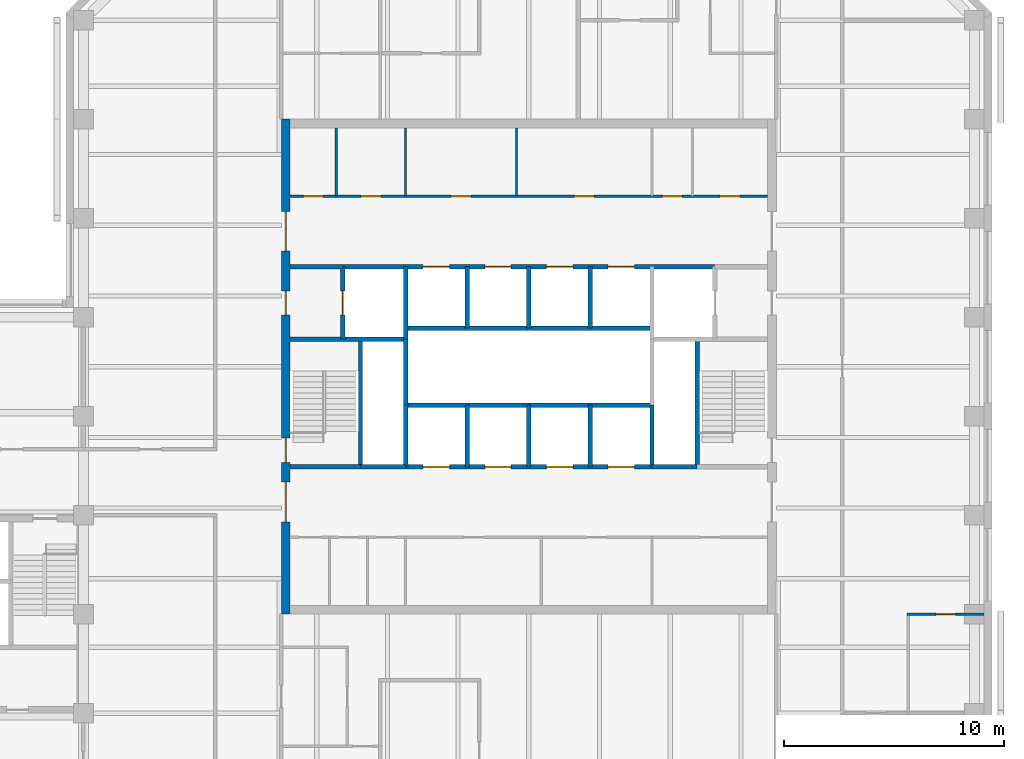
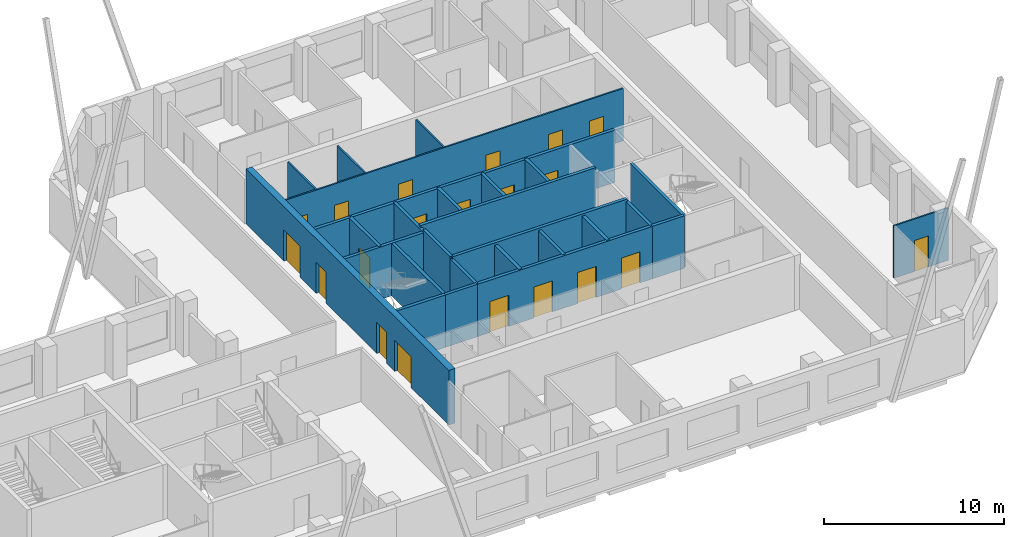
# One storey, part 5 of 9: 28 walls, 20 doors, 20 openings.
"""IFC4 building model written with IfcOpenShell, lengths in metres."""

from ifc_helpers import new_model, si_unit, direction, frame, frame_2d, origin, place, context, subcontext, project, spatial, rectangle, extrude, material, layer, layer_set, type_object, element, fill, save


model = new_model("IFC4")

# Units and contexts
model_context = context("Model", 3, precision=1e-05, world=origin(), true_north=direction((0.0, 1.0)))
body_context = subcontext(model_context, "Body", "Model", "MODEL_VIEW")
ifc_project = project(units=[si_unit("LENGTHUNIT", "METRE"), si_unit("AREAUNIT", "SQUARE_METRE"), si_unit("VOLUMEUNIT", "CUBIC_METRE"), si_unit("PLANEANGLEUNIT", "RADIAN"), si_unit("MASSUNIT", "GRAM", prefix="KILO")], contexts=[model_context])

# Site, building, storey
site_placement = place(None, origin())
site = spatial("IfcSite", under=ifc_project, at=site_placement, CompositionType="ELEMENT")
building_placement = place(site_placement, origin())
building = spatial("IfcBuilding", under=site, at=building_placement, Name="Quoin Convention Tower", CompositionType="ELEMENT")
storey_placement = place(building_placement, frame((0.0, 0.0, 173.60009765625)))
storey = spatial("IfcBuildingStorey", under=building, at=storey_placement, Name="L45", CompositionType="ELEMENT", Elevation=173.60009765625)

# Wall, openings, doors
ifc_material_1 = material(Name="Plasterboard")
ifc_layer_1 = layer(ifc_material_1, 0.012451171875, Name="Finish")
ifc_material_2 = material(Name="Steel stud framing", Category="steel")
ifc_layer_2 = layer(ifc_material_2, 0.074951171875, Name="Structure")
ifc_layer_3 = layer(ifc_material_1, 0.012451171875, Name="Finish")
ifc_layer_set_1 = layer_set([ifc_layer_1, ifc_layer_2, ifc_layer_3], Name="Steel stud framing")
wall_type_1 = type_object("IfcWallType", Name="Core partition wall", PredefinedType="PARTITIONING", material=ifc_layer_set_1)
wall_1_placement = place(storey_placement, frame((45.39990234375, 68.5, 0.0), z_axis=(0.0, 0.0, 1.0), x_axis=(1.0, 0.0, 0.0)))
wall_1 = element("IfcWall", 1, at=wall_1_placement, inside=storey, type_object=wall_type_1, Name="cr-C1-L45-h19000_400", PredefinedType="PARTITIONING", context=body_context, shape_type="SweptSolid", body=[
    extrude(rectangle(XDim=21.7001953125, YDim=0.10009765625, at=frame_2d((10.85009765625, 0.0))), origin(), (0.0, 0.0, 1.0), 3.5498046875),
])
opening_1_placement = place(wall_1_placement, frame((19.543701171875, 0.0, 0.0)))
opening_1 = element("IfcOpeningElement", 2, at=opening_1_placement, cuts=wall_1, Name="Opening DCV3-14", PredefinedType="OPENING", context=body_context, shape_type="SweptSolid", body=[
    extrude(rectangle(XDim=0.89990234375, YDim=2.10009765625, at=frame_2d((0.449951171875, 1.050048828125))), frame((0.0, 0.06005859375, 0.0), z_axis=(0.0, -1.0, 0.0), x_axis=(1.0, 0.0, 0.0)), (0.0, 0.0, 1.0), 0.1201171875),
])
opening_2_placement = place(wall_1_placement, frame((16.918701171875, 0.0, 0.0)))
opening_2 = element("IfcOpeningElement", 3, at=opening_2_placement, cuts=wall_1, Name="Opening DCV3-13", PredefinedType="OPENING", context=body_context, shape_type="SweptSolid", body=[
    extrude(rectangle(XDim=0.89990234375, YDim=2.10009765625, at=frame_2d((0.449951171875, 1.050048828125))), frame((0.0, 0.06005859375, 0.0), z_axis=(0.0, -1.0, 0.0), x_axis=(1.0, 0.0, 0.0)), (0.0, 0.0, 1.0), 0.1201171875),
])
opening_3_placement = place(wall_1_placement, frame((0.60009765625, 0.0, 0.0)))
opening_3 = element("IfcOpeningElement", 4, at=opening_3_placement, cuts=wall_1, Name="Opening DCV3-05", PredefinedType="OPENING", context=body_context, shape_type="SweptSolid", body=[
    extrude(rectangle(XDim=0.89990234375, YDim=2.10009765625, at=frame_2d((0.449951171875, 1.050048828125))), frame((0.0, 0.06005859375, 0.0), z_axis=(0.0, -1.0, 0.0), x_axis=(1.0, 0.0, 0.0)), (0.0, 0.0, 1.0), 0.1201171875),
])
opening_4_placement = place(wall_1_placement, frame((3.22509765625, 0.0, 0.0)))
opening_4 = element("IfcOpeningElement", 5, at=opening_4_placement, cuts=wall_1, Name="Opening DCV3-06", PredefinedType="OPENING", context=body_context, shape_type="SweptSolid", body=[
    extrude(rectangle(XDim=0.89990234375, YDim=2.10009765625, at=frame_2d((0.449951171875, 1.050048828125))), frame((0.0, 0.06005859375, 0.0), z_axis=(0.0, -1.0, 0.0), x_axis=(1.0, 0.0, 0.0)), (0.0, 0.0, 1.0), 0.1201171875),
])
opening_5_placement = place(wall_1_placement, frame((12.919921875, 0.0, 0.0)))
opening_5 = element("IfcOpeningElement", 6, at=opening_5_placement, cuts=wall_1, Name="Opening DCV3-11", PredefinedType="OPENING", context=body_context, shape_type="SweptSolid", body=[
    extrude(rectangle(XDim=0.89990234375, YDim=2.10009765625, at=frame_2d((0.449951171875, 1.050048828125))), frame((0.0, 0.06005859375, 0.0), z_axis=(0.0, -1.0, 0.0), x_axis=(1.0, 0.0, 0.0)), (0.0, 0.0, 1.0), 0.1201171875),
])
opening_6_placement = place(wall_1_placement, frame((7.320068359375, 0.0, 0.0)))
opening_6 = element("IfcOpeningElement", 7, at=opening_6_placement, cuts=wall_1, Name="Opening DCV3-08", PredefinedType="OPENING", context=body_context, shape_type="SweptSolid", body=[
    extrude(rectangle(XDim=0.89990234375, YDim=2.10009765625, at=frame_2d((0.449951171875, 1.050048828125))), frame((0.0, 0.06005859375, 0.0), z_axis=(0.0, -1.0, 0.0), x_axis=(1.0, 0.0, 0.0)), (0.0, 0.0, 1.0), 0.1201171875),
])
ifc_material_3 = material(Name="Steel door leaf", Category="steel")
door_type_1 = type_object("IfcDoorType", Name="Core room door 900 x 2100", OperationType="SINGLE_SWING_LEFT", PredefinedType="DOOR", material=ifc_material_3)
door_1_placement = place(opening_1_placement, origin())
door_1 = element("IfcDoor", 8, at=door_1_placement, inside=storey, type_object=door_type_1, Name="cd-C1-L45-CNE0-lobB-CD4507", OperationType="SINGLE_SWING_LEFT", OverallHeight=2.10009765625, OverallWidth=0.89990234375, PredefinedType="DOOR", context=body_context, shape_type="SweptSolid", body=[
    extrude(rectangle(XDim=0.89990234375, YDim=2.10009765625, at=frame_2d((0.449951171875, 1.050048828125))), frame((0.0, 0.02490234375, 0.0), z_axis=(0.0, -1.0, 0.0), x_axis=(1.0, 0.0, 0.0)), (0.0, 0.0, 1.0), 0.050048828125),
])
fill(opening_1, door_1)
door_2_placement = place(opening_2_placement, origin())
door_2 = element("IfcDoor", 9, at=door_2_placement, inside=storey, type_object=door_type_1, Name="cd-C1-L45-CNE1-lobB-CD4508", OperationType="SINGLE_SWING_RIGHT", OverallHeight=2.10009765625, OverallWidth=0.89990234375, PredefinedType="DOOR", context=body_context, shape_type="SweptSolid", body=[
    extrude(rectangle(XDim=0.89990234375, YDim=2.10009765625, at=frame_2d((0.449951171875, 1.050048828125))), frame((0.0, 0.02490234375, 0.0), z_axis=(0.0, -1.0, 0.0), x_axis=(1.0, 0.0, 0.0)), (0.0, 0.0, 1.0), 0.050048828125),
])
fill(opening_2, door_2)
door_3_placement = place(opening_3_placement, origin())
door_3 = element("IfcDoor", 10, at=door_3_placement, inside=storey, type_object=door_type_1, Name="cd-C1-L45-CNW0-lobB-CD4509", OperationType="SINGLE_SWING_RIGHT", OverallHeight=2.10009765625, OverallWidth=0.89990234375, PredefinedType="DOOR", context=body_context, shape_type="SweptSolid", body=[
    extrude(rectangle(XDim=0.89990234375, YDim=2.10009765625, at=frame_2d((0.449951171875, 1.050048828125))), frame((0.0, 0.02490234375, 0.0), z_axis=(0.0, -1.0, 0.0), x_axis=(1.0, 0.0, 0.0)), (0.0, 0.0, 1.0), 0.050048828125),
])
fill(opening_3, door_3)
door_4_placement = place(opening_4_placement, origin())
door_4 = element("IfcDoor", 11, at=door_4_placement, inside=storey, type_object=door_type_1, Name="cd-C1-L45-CNW1-lobB-CD4510", OperationType="SINGLE_SWING_RIGHT", OverallHeight=2.10009765625, OverallWidth=0.89990234375, PredefinedType="DOOR", context=body_context, shape_type="SweptSolid", body=[
    extrude(rectangle(XDim=0.89990234375, YDim=2.10009765625, at=frame_2d((0.449951171875, 1.050048828125))), frame((0.0, 0.02490234375, 0.0), z_axis=(0.0, -1.0, 0.0), x_axis=(1.0, 0.0, 0.0)), (0.0, 0.0, 1.0), 0.050048828125),
])
fill(opening_4, door_4)
door_5_placement = place(opening_5_placement, origin())
door_5 = element("IfcDoor", 12, at=door_5_placement, inside=storey, type_object=door_type_1, Name="cd-C1-L45-F40-lobB-CD4517", OperationType="SINGLE_SWING_RIGHT", OverallHeight=2.10009765625, OverallWidth=0.89990234375, PredefinedType="DOOR", context=body_context, shape_type="SweptSolid", body=[
    extrude(rectangle(XDim=0.89990234375, YDim=2.10009765625, at=frame_2d((0.449951171875, 1.050048828125))), frame((0.0, 0.02490234375, 0.0), z_axis=(0.0, -1.0, 0.0), x_axis=(1.0, 0.0, 0.0)), (0.0, 0.0, 1.0), 0.050048828125),
])
fill(opening_5, door_5)
door_6_placement = place(opening_6_placement, origin())
door_6 = element("IfcDoor", 13, at=door_6_placement, inside=storey, type_object=door_type_1, Name="cd-C1-L45-F41-lobB-CD4518", OperationType="SINGLE_SWING_RIGHT", OverallHeight=2.10009765625, OverallWidth=0.89990234375, PredefinedType="DOOR", context=body_context, shape_type="SweptSolid", body=[
    extrude(rectangle(XDim=0.89990234375, YDim=2.10009765625, at=frame_2d((0.449951171875, 1.050048828125))), frame((0.0, 0.02490234375, 0.0), z_axis=(0.0, -1.0, 0.0), x_axis=(1.0, 0.0, 0.0)), (0.0, 0.0, 1.0), 0.050048828125),
])
fill(opening_6, door_6)

# Walls
for number, where, z_axis, x_axis, name in (
    (14, (47.5, 68.5, 0.0), (0.0, 0.0, 1.0), (0.0, 1.0, 0.0), "cr-C1-L45-v2500_19000"),
    (15, (50.64990234375, 68.5, 0.0), (0.0, 0.0, 1.0), (0.0, 1.0, 0.0), "cr-C1-L45-v5650_19000"),
    (16, (55.68994140625, 68.5, 0.0), (0.0, 0.0, 1.0), (0.0, 1.0, 0.0), "cr-C1-L45-v10690_19000"),
):
    element("IfcWall", number, at=place(storey_placement, frame(where, z_axis=z_axis, x_axis=x_axis)), inside=storey, type_object=wall_type_1, Name=name, PredefinedType="PARTITIONING", context=body_context, shape_type="SweptSolid", body=[
        extrude(rectangle(XDim=3.10009765625, YDim=0.10009765625, at=frame_2d((1.550048828125, 0.0))), origin(), (0.0, 0.0, 1.0), 3.5498046875),
    ])
ifc_material_4 = material(Name="Concrete C50", Category="concrete")
ifc_layer_4 = layer(ifc_material_4, 0.199951171875)
ifc_layer_set_2 = layer_set([ifc_layer_4], Name="Concrete C50")
wall_type_2 = type_object("IfcWallType", Name="Core shaft wall", PredefinedType="SOLIDWALL", material=ifc_layer_set_2)
for number, where, z_axis, x_axis, name in (
    (17, (48.60009765625, 56.199951171875, 0.0), (0.0, 0.0, 1.0), (1.0, 0.0, 0.0), "cr-C1-L45-h6700_3600"),
    (18, (61.85009765625, 56.199951171875, 0.0), (0.0, 0.0, 1.0), (1.0, 0.0, 0.0), "cr-C1-L45-h6700_16850"),
):
    element("IfcWall", number, at=place(storey_placement, frame(where, z_axis=z_axis, x_axis=x_axis)), inside=storey, type_object=wall_type_2, Name=name, PredefinedType="SOLIDWALL", context=body_context, shape_type="SweptSolid", body=[
        extrude(rectangle(XDim=2.0498046875, YDim=0.199951171875, at=frame_2d((1.02490234375, 0.0))), origin(), (0.0, 0.0, 1.0), 3.5498046875),
    ])
wall_2_placement = place(storey_placement, frame((45.39990234375, 56.199951171875, 0.0), z_axis=(0.0, 0.0, 1.0), x_axis=(1.0, 0.0, 0.0)))
element("IfcWall", 19, at=wall_2_placement, inside=storey, type_object=wall_type_2, Name="cr-C1-L45-h6700_400", PredefinedType="SOLIDWALL", context=body_context, shape_type="SweptSolid", body=[
    extrude(rectangle(XDim=3.2001953125, YDim=0.199951171875, at=frame_2d((1.60009765625, 0.0))), origin(), (0.0, 0.0, 1.0), 3.5498046875),
])

# Wall, openings, doors
wall_3_placement = place(storey_placement, frame((50.64990234375, 56.199951171875, 0.0), z_axis=(0.0, 0.0, 1.0), x_axis=(1.0, 0.0, 0.0)))
wall_3 = element("IfcWall", 20, at=wall_3_placement, inside=storey, type_object=wall_type_2, Name="cr-C1-L45-h6700_5650", PredefinedType="SOLIDWALL", context=body_context, shape_type="SweptSolid", body=[
    extrude(rectangle(XDim=11.2001953125, YDim=0.199951171875, at=frame_2d((5.60009765625, 0.0))), origin(), (0.0, 0.0, 1.0), 3.5498046875),
])
opening_7_placement = place(wall_3_placement, frame((0.800048828125, 0.0, 0.0)))
opening_7 = element("IfcOpeningElement", 21, at=opening_7_placement, cuts=wall_3, Name="Opening LDH1", PredefinedType="OPENING", context=body_context, shape_type="SweptSolid", body=[
    extrude(rectangle(XDim=1.199951171875, YDim=2.10009765625, at=frame_2d((0.60009765625, 1.050048828125))), frame((0.0, 0.10986328125, 0.0), z_axis=(0.0, -1.0, 0.0), x_axis=(1.0, 0.0, 0.0)), (0.0, 0.0, 1.0), 0.219970703125),
])
opening_8_placement = place(wall_3_placement, frame((3.60009765625, 0.0, 0.0)))
opening_8 = element("IfcOpeningElement", 22, at=opening_8_placement, cuts=wall_3, Name="Opening LDH2", PredefinedType="OPENING", context=body_context, shape_type="SweptSolid", body=[
    extrude(rectangle(XDim=1.199951171875, YDim=2.10009765625, at=frame_2d((0.60009765625, 1.050048828125))), frame((0.0, 0.10986328125, 0.0), z_axis=(0.0, -1.0, 0.0), x_axis=(1.0, 0.0, 0.0)), (0.0, 0.0, 1.0), 0.219970703125),
])
opening_9_placement = place(wall_3_placement, frame((6.39990234375, 0.0, 0.0)))
opening_9 = element("IfcOpeningElement", 23, at=opening_9_placement, cuts=wall_3, Name="Opening LDH3", PredefinedType="OPENING", context=body_context, shape_type="SweptSolid", body=[
    extrude(rectangle(XDim=1.199951171875, YDim=2.10009765625, at=frame_2d((0.60009765625, 1.050048828125))), frame((0.0, 0.10986328125, 0.0), z_axis=(0.0, -1.0, 0.0), x_axis=(1.0, 0.0, 0.0)), (0.0, 0.0, 1.0), 0.219970703125),
])
opening_10_placement = place(wall_3_placement, frame((9.199951171875, 0.0, 0.0)))
opening_10 = element("IfcOpeningElement", 24, at=opening_10_placement, cuts=wall_3, Name="Opening LDH4", PredefinedType="OPENING", context=body_context, shape_type="SweptSolid", body=[
    extrude(rectangle(XDim=1.199951171875, YDim=2.10009765625, at=frame_2d((0.60009765625, 1.050048828125))), frame((0.0, 0.10986328125, 0.0), z_axis=(0.0, -1.0, 0.0), x_axis=(1.0, 0.0, 0.0)), (0.0, 0.0, 1.0), 0.219970703125),
])
door_type_2 = type_object("IfcDoorType", Name="Lift landing door 1200 x 2100", OperationType="DOUBLE_DOOR_SLIDING", PredefinedType="DOOR", material=ifc_material_3)
door_7_placement = place(opening_7_placement, origin())
door_7 = element("IfcDoor", 25, at=door_7_placement, inside=storey, type_object=door_type_2, Name="cd-C1-L45-R20-lobA-LDH1", OperationType="DOUBLE_DOOR_SLIDING", OverallHeight=2.10009765625, OverallWidth=1.199951171875, PredefinedType="DOOR", context=body_context, shape_type="SweptSolid", body=[
    extrude(rectangle(XDim=1.199951171875, YDim=2.10009765625, at=frame_2d((0.60009765625, 1.050048828125))), frame((0.0, 0.02490234375, 0.0), z_axis=(0.0, -1.0, 0.0), x_axis=(1.0, 0.0, 0.0)), (0.0, 0.0, 1.0), 0.050048828125),
])
fill(opening_7, door_7)
door_8_placement = place(opening_8_placement, origin())
door_8 = element("IfcDoor", 26, at=door_8_placement, inside=storey, type_object=door_type_2, Name="cd-C1-L45-R21-lobA-LDH2", OperationType="DOUBLE_DOOR_SLIDING", OverallHeight=2.10009765625, OverallWidth=1.199951171875, PredefinedType="DOOR", context=body_context, shape_type="SweptSolid", body=[
    extrude(rectangle(XDim=1.199951171875, YDim=2.10009765625, at=frame_2d((0.60009765625, 1.050048828125))), frame((0.0, 0.02490234375, 0.0), z_axis=(0.0, -1.0, 0.0), x_axis=(1.0, 0.0, 0.0)), (0.0, 0.0, 1.0), 0.050048828125),
])
fill(opening_8, door_8)
door_9_placement = place(opening_9_placement, origin())
door_9 = element("IfcDoor", 27, at=door_9_placement, inside=storey, type_object=door_type_2, Name="cd-C1-L45-R22-lobA-LDH3", OperationType="DOUBLE_DOOR_SLIDING", OverallHeight=2.10009765625, OverallWidth=1.199951171875, PredefinedType="DOOR", context=body_context, shape_type="SweptSolid", body=[
    extrude(rectangle(XDim=1.199951171875, YDim=2.10009765625, at=frame_2d((0.60009765625, 1.050048828125))), frame((0.0, 0.02490234375, 0.0), z_axis=(0.0, -1.0, 0.0), x_axis=(1.0, 0.0, 0.0)), (0.0, 0.0, 1.0), 0.050048828125),
])
fill(opening_9, door_9)
door_10_placement = place(opening_10_placement, origin())
door_10 = element("IfcDoor", 28, at=door_10_placement, inside=storey, type_object=door_type_2, Name="cd-C1-L45-R23-lobA-LDH4", OperationType="DOUBLE_DOOR_SLIDING", OverallHeight=2.10009765625, OverallWidth=1.199951171875, PredefinedType="DOOR", context=body_context, shape_type="SweptSolid", body=[
    extrude(rectangle(XDim=1.199951171875, YDim=2.10009765625, at=frame_2d((0.60009765625, 1.050048828125))), frame((0.0, 0.02490234375, 0.0), z_axis=(0.0, -1.0, 0.0), x_axis=(1.0, 0.0, 0.0)), (0.0, 0.0, 1.0), 0.050048828125),
])
fill(opening_10, door_10)

# Walls
wall_4_placement = place(storey_placement, frame((45.39990234375, 62.0, 0.0), z_axis=(0.0, 0.0, 1.0), x_axis=(1.0, 0.0, 0.0)))
element("IfcWall", 29, at=wall_4_placement, inside=storey, type_object=wall_type_2, Name="cr-C1-L45-h12500_400", PredefinedType="SOLIDWALL", context=body_context, shape_type="SweptSolid", body=[
    extrude(rectangle(XDim=5.25, YDim=0.199951171875, at=frame_2d((2.625, 0.0))), origin(), (0.0, 0.0, 1.0), 3.5498046875),
])
wall_5_placement = place(storey_placement, frame((45.39990234375, 65.300048828125, 0.0), z_axis=(0.0, 0.0, 1.0), x_axis=(1.0, 0.0, 0.0)))
element("IfcWall", 30, at=wall_5_placement, inside=storey, type_object=wall_type_2, Name="cr-C1-L45-h15800_400", PredefinedType="SOLIDWALL", context=body_context, shape_type="SweptSolid", body=[
    extrude(rectangle(XDim=2.400146484375, YDim=0.199951171875, at=frame_2d((1.2001953125, 0.0))), origin(), (0.0, 0.0, 1.0), 3.5498046875),
])

# Wall, openings, doors
wall_6_placement = place(storey_placement, frame((47.800048828125, 65.300048828125, 0.0), z_axis=(0.0, 0.0, 1.0), x_axis=(1.0, 0.0, 0.0)))
wall_6 = element("IfcWall", 31, at=wall_6_placement, inside=storey, type_object=wall_type_2, Name="cr-C1-L45-h15800_2800", PredefinedType="SOLIDWALL", context=body_context, shape_type="SweptSolid", body=[
    extrude(rectangle(XDim=16.89990234375, YDim=0.199951171875, at=frame_2d((8.449951171875, 0.0))), origin(), (0.0, 0.0, 1.0), 3.5498046875),
])
opening_11_placement = place(wall_6_placement, frame((3.64990234375, 0.0, 0.0)))
opening_11 = element("IfcOpeningElement", 32, at=opening_11_placement, cuts=wall_6, Name="Opening LDH5", PredefinedType="OPENING", context=body_context, shape_type="SweptSolid", body=[
    extrude(rectangle(XDim=1.199951171875, YDim=2.10009765625, at=frame_2d((0.60009765625, 1.050048828125))), frame((0.0, 0.10986328125, 0.0), z_axis=(0.0, -1.0, 0.0), x_axis=(1.0, 0.0, 0.0)), (0.0, 0.0, 1.0), 0.219970703125),
])
opening_12_placement = place(wall_6_placement, frame((6.449951171875, 0.0, 0.0)))
opening_12 = element("IfcOpeningElement", 33, at=opening_12_placement, cuts=wall_6, Name="Opening LDH6", PredefinedType="OPENING", context=body_context, shape_type="SweptSolid", body=[
    extrude(rectangle(XDim=1.199951171875, YDim=2.10009765625, at=frame_2d((0.60009765625, 1.050048828125))), frame((0.0, 0.10986328125, 0.0), z_axis=(0.0, -1.0, 0.0), x_axis=(1.0, 0.0, 0.0)), (0.0, 0.0, 1.0), 0.219970703125),
])
opening_13_placement = place(wall_6_placement, frame((9.25, 0.0, 0.0)))
opening_13 = element("IfcOpeningElement", 34, at=opening_13_placement, cuts=wall_6, Name="Opening LDH7", PredefinedType="OPENING", context=body_context, shape_type="SweptSolid", body=[
    extrude(rectangle(XDim=1.199951171875, YDim=2.10009765625, at=frame_2d((0.60009765625, 1.050048828125))), frame((0.0, 0.10986328125, 0.0), z_axis=(0.0, -1.0, 0.0), x_axis=(1.0, 0.0, 0.0)), (0.0, 0.0, 1.0), 0.219970703125),
])
opening_14_placement = place(wall_6_placement, frame((12.050048828125, 0.0, 0.0)))
opening_14 = element("IfcOpeningElement", 35, at=opening_14_placement, cuts=wall_6, Name="Opening LDH8", PredefinedType="OPENING", context=body_context, shape_type="SweptSolid", body=[
    extrude(rectangle(XDim=1.199951171875, YDim=2.10009765625, at=frame_2d((0.60009765625, 1.050048828125))), frame((0.0, 0.10986328125, 0.0), z_axis=(0.0, -1.0, 0.0), x_axis=(1.0, 0.0, 0.0)), (0.0, 0.0, 1.0), 0.219970703125),
])
door_11_placement = place(opening_11_placement, origin())
door_11 = element("IfcDoor", 36, at=door_11_placement, inside=storey, type_object=door_type_2, Name="cd-C1-L45-R30-lobB-LDH5", OperationType="DOUBLE_DOOR_SLIDING", OverallHeight=2.10009765625, OverallWidth=1.199951171875, PredefinedType="DOOR", context=body_context, shape_type="SweptSolid", body=[
    extrude(rectangle(XDim=1.199951171875, YDim=2.10009765625, at=frame_2d((0.60009765625, 1.050048828125))), frame((0.0, 0.02490234375, 0.0), z_axis=(0.0, -1.0, 0.0), x_axis=(1.0, 0.0, 0.0)), (0.0, 0.0, 1.0), 0.050048828125),
])
fill(opening_11, door_11)
door_12_placement = place(opening_12_placement, origin())
door_12 = element("IfcDoor", 37, at=door_12_placement, inside=storey, type_object=door_type_2, Name="cd-C1-L45-R31-lobB-LDH6", OperationType="DOUBLE_DOOR_SLIDING", OverallHeight=2.10009765625, OverallWidth=1.199951171875, PredefinedType="DOOR", context=body_context, shape_type="SweptSolid", body=[
    extrude(rectangle(XDim=1.199951171875, YDim=2.10009765625, at=frame_2d((0.60009765625, 1.050048828125))), frame((0.0, 0.02490234375, 0.0), z_axis=(0.0, -1.0, 0.0), x_axis=(1.0, 0.0, 0.0)), (0.0, 0.0, 1.0), 0.050048828125),
])
fill(opening_12, door_12)
door_13_placement = place(opening_13_placement, origin())
door_13 = element("IfcDoor", 38, at=door_13_placement, inside=storey, type_object=door_type_2, Name="cd-C1-L45-R32-lobB-LDH7", OperationType="DOUBLE_DOOR_SLIDING", OverallHeight=2.10009765625, OverallWidth=1.199951171875, PredefinedType="DOOR", context=body_context, shape_type="SweptSolid", body=[
    extrude(rectangle(XDim=1.199951171875, YDim=2.10009765625, at=frame_2d((0.60009765625, 1.050048828125))), frame((0.0, 0.02490234375, 0.0), z_axis=(0.0, -1.0, 0.0), x_axis=(1.0, 0.0, 0.0)), (0.0, 0.0, 1.0), 0.050048828125),
])
fill(opening_13, door_13)
door_14_placement = place(opening_14_placement, origin())
door_14 = element("IfcDoor", 39, at=door_14_placement, inside=storey, type_object=door_type_2, Name="cd-C1-L45-R33-lobB-LDH8", OperationType="DOUBLE_DOOR_SLIDING", OverallHeight=2.10009765625, OverallWidth=1.199951171875, PredefinedType="DOOR", context=body_context, shape_type="SweptSolid", body=[
    extrude(rectangle(XDim=1.199951171875, YDim=2.10009765625, at=frame_2d((0.60009765625, 1.050048828125))), frame((0.0, 0.02490234375, 0.0), z_axis=(0.0, -1.0, 0.0), x_axis=(1.0, 0.0, 0.0)), (0.0, 0.0, 1.0), 0.050048828125),
])
fill(opening_14, door_14)

# Wall, opening, door
wall_7_placement = place(storey_placement, frame((47.800048828125, 62.0, 0.0), z_axis=(0.0, 0.0, 1.0), x_axis=(0.0, 1.0, 0.0)))
wall_7 = element("IfcWall", 40, at=wall_7_placement, inside=storey, type_object=wall_type_2, Name="cr-C1-L45-v2800_12500", PredefinedType="SOLIDWALL", context=body_context, shape_type="SweptSolid", body=[
    extrude(rectangle(XDim=3.300048828125, YDim=0.199951171875, at=frame_2d((1.64990234375, 0.0))), origin(), (0.0, 0.0, 1.0), 3.5498046875),
])
opening_15_placement = place(wall_7_placement, frame((1.10009765625, 0.0, 0.0)))
opening_15 = element("IfcOpeningElement", 41, at=opening_15_placement, cuts=wall_7, Name="Opening LDFL1", PredefinedType="OPENING", context=body_context, shape_type="SweptSolid", body=[
    extrude(rectangle(XDim=1.10009765625, YDim=2.10009765625, at=frame_2d((0.550048828125, 1.050048828125))), frame((0.0, 0.10986328125, 0.0), z_axis=(0.0, -1.0, 0.0), x_axis=(1.0, 0.0, 0.0)), (0.0, 0.0, 1.0), 0.219970703125),
])
door_type_3 = type_object("IfcDoorType", Name="Lift landing door 1100 x 2100", OperationType="DOUBLE_DOOR_SLIDING", PredefinedType="DOOR", material=ifc_material_3)
door_15_placement = place(opening_15_placement, origin())
door_15 = element("IfcDoor", 42, at=door_15_placement, inside=storey, type_object=door_type_3, Name="cd-C1-L45-FLW-FFW-LDFL1", OperationType="DOUBLE_DOOR_SLIDING", OverallHeight=2.10009765625, OverallWidth=1.10009765625, PredefinedType="DOOR", context=body_context, shape_type="SweptSolid", body=[
    extrude(rectangle(XDim=1.10009765625, YDim=2.10009765625, at=frame_2d((0.550048828125, 1.050048828125))), frame((0.0, 0.02490234375, 0.0), z_axis=(0.0, -1.0, 0.0), x_axis=(1.0, 0.0, 0.0)), (0.0, 0.0, 1.0), 0.050048828125),
])
fill(opening_15, door_15)

# Walls
wall_8_placement = place(storey_placement, frame((48.60009765625, 56.199951171875, 0.0), z_axis=(0.0, 0.0, 1.0), x_axis=(0.0, 1.0, 0.0)))
element("IfcWall", 43, at=wall_8_placement, inside=storey, type_object=wall_type_2, Name="cr-C1-L45-v3600_6700", PredefinedType="SOLIDWALL", context=body_context, shape_type="SweptSolid", body=[
    extrude(rectangle(XDim=5.800048828125, YDim=0.199951171875, at=frame_2d((2.89990234375, 0.0))), origin(), (0.0, 0.0, 1.0), 3.5498046875),
])
wall_9_placement = place(storey_placement, frame((50.64990234375, 56.199951171875, 0.0), z_axis=(0.0, 0.0, 1.0), x_axis=(0.0, 1.0, 0.0)))
element("IfcWall", 44, at=wall_9_placement, inside=storey, type_object=wall_type_2, Name="cr-C1-L45-v5650_6700", PredefinedType="SOLIDWALL", context=body_context, shape_type="SweptSolid", body=[
    extrude(rectangle(XDim=2.800048828125, YDim=0.199951171875, at=frame_2d((1.39990234375, 0.0))), origin(), (0.0, 0.0, 1.0), 3.5498046875),
])
wall_10_placement = place(storey_placement, frame((50.64990234375, 62.0, 0.0), z_axis=(0.0, 0.0, 1.0), x_axis=(0.0, 1.0, 0.0)))
element("IfcWall", 45, at=wall_10_placement, inside=storey, type_object=wall_type_2, Name="cr-C1-L45-v5650_12500", PredefinedType="SOLIDWALL", context=body_context, shape_type="SweptSolid", body=[
    extrude(rectangle(XDim=3.300048828125, YDim=0.199951171875, at=frame_2d((1.64990234375, 0.0))), origin(), (0.0, 0.0, 1.0), 3.5498046875),
])
for number, where, z_axis, x_axis, name in (
    (46, (53.449951171875, 56.199951171875, 0.0), (0.0, 0.0, 1.0), (0.0, 1.0, 0.0), "cr-C1-L45-v8450_6700"),
    (47, (53.449951171875, 62.5, 0.0), (0.0, 0.0, 1.0), (0.0, 1.0, 0.0), "cr-C1-L45-v8450_13000"),
    (48, (56.25, 56.199951171875, 0.0), (0.0, 0.0, 1.0), (0.0, 1.0, 0.0), "cr-C1-L45-v11250_6700"),
    (49, (56.25, 62.5, 0.0), (0.0, 0.0, 1.0), (0.0, 1.0, 0.0), "cr-C1-L45-v11250_13000"),
    (50, (59.050048828125, 56.199951171875, 0.0), (0.0, 0.0, 1.0), (0.0, 1.0, 0.0), "cr-C1-L45-v14050_6700"),
    (51, (59.050048828125, 62.5, 0.0), (0.0, 0.0, 1.0), (0.0, 1.0, 0.0), "cr-C1-L45-v14050_13000"),
    (52, (61.85009765625, 56.199951171875, 0.0), (0.0, 0.0, 1.0), (0.0, 1.0, 0.0), "cr-C1-L45-v16850_6700"),
):
    element("IfcWall", number, at=place(storey_placement, frame(where, z_axis=z_axis, x_axis=x_axis)), inside=storey, type_object=wall_type_2, Name=name, PredefinedType="SOLIDWALL", context=body_context, shape_type="SweptSolid", body=[
        extrude(rectangle(XDim=2.800048828125, YDim=0.199951171875, at=frame_2d((1.39990234375, 0.0))), origin(), (0.0, 0.0, 1.0), 3.5498046875),
    ])
wall_11_placement = place(storey_placement, frame((63.89990234375, 56.199951171875, 0.0), z_axis=(0.0, 0.0, 1.0), x_axis=(0.0, 1.0, 0.0)))
element("IfcWall", 53, at=wall_11_placement, inside=storey, type_object=wall_type_2, Name="cr-C1-L45-v18900_6700", PredefinedType="SOLIDWALL", context=body_context, shape_type="SweptSolid", body=[
    extrude(rectangle(XDim=5.800048828125, YDim=0.199951171875, at=frame_2d((2.89990234375, 0.0))), origin(), (0.0, 0.0, 1.0), 3.5498046875),
])
ifc_layer_5 = layer(ifc_material_4, 0.199951171875)
ifc_layer_set_3 = layer_set([ifc_layer_5], Name="Concrete C50")
wall_type_3 = type_object("IfcWallType", Name="Core shaft wall to the floor level over", PredefinedType="SOLIDWALL", material=ifc_layer_set_3)
for number, where, z_axis, x_axis, name in (
    (54, (50.64990234375, 59.0, 0.0), (0.0, 0.0, 1.0), (1.0, 0.0, 0.0), "cr-C1-L45-h9500_5650"),
    (55, (50.64990234375, 62.5, 0.0), (0.0, 0.0, 1.0), (1.0, 0.0, 0.0), "cr-C1-L45-h13000_5650"),
):
    element("IfcWall", number, at=place(storey_placement, frame(where, z_axis=z_axis, x_axis=x_axis)), inside=storey, type_object=wall_type_3, Name=name, PredefinedType="SOLIDWALL", context=body_context, shape_type="SweptSolid", body=[
        extrude(rectangle(XDim=11.2001953125, YDim=0.199951171875, at=frame_2d((5.60009765625, 0.0))), origin(), (0.0, 0.0, 1.0), 3.699951171875),
    ])
wall_12_placement = place(storey_placement, frame((50.64990234375, 59.0, 0.0), z_axis=(0.0, 0.0, 1.0), x_axis=(0.0, 1.0, 0.0)))
element("IfcWall", 56, at=wall_12_placement, inside=storey, type_object=wall_type_3, Name="cr-C1-L45-v5650_9500", PredefinedType="SOLIDWALL", context=body_context, shape_type="SweptSolid", body=[
    extrude(rectangle(XDim=3.0, YDim=0.199951171875, at=frame_2d((1.5, 0.0))), origin(), (0.0, 0.0, 1.0), 3.699951171875),
])

# Wall, openings, doors
ifc_layer_6 = layer(ifc_material_4, 0.39990234375)
ifc_layer_set_4 = layer_set([ifc_layer_6], Name="Concrete C50")
wall_type_4 = type_object("IfcWallType", Name="RC CORE WALL 400 C50", PredefinedType="SHEAR", material=ifc_layer_set_4)
wall_13_placement = place(storey_placement, frame((45.199951171875, 49.5, 0.0), z_axis=(0.0, 0.0, 1.0), x_axis=(0.0, 1.0, 0.0)))
wall_13 = element("IfcWall", 57, at=wall_13_placement, inside=storey, type_object=wall_type_4, Name="cwl-C1-L45-W", PredefinedType="SHEAR", context=body_context, shape_type="SweptSolid", body=[
    extrude(rectangle(XDim=22.5, YDim=0.39990234375, at=frame_2d((11.25, 0.0))), origin(), (0.0, 0.0, 1.0), 3.699951171875),
])
opening_16_placement = place(wall_13_placement, frame((4.199951171875, 0.0, 0.0)))
opening_16 = element("IfcOpeningElement", 58, at=opening_16_placement, cuts=wall_13, Name="Opening DCV3-40", PredefinedType="OPENING", context=body_context, shape_type="SweptSolid", body=[
    extrude(rectangle(XDim=1.800048828125, YDim=2.10009765625, at=frame_2d((0.89990234375, 1.050048828125))), frame((0.0, 0.2099609375, 0.0), z_axis=(0.0, -1.0, 0.0), x_axis=(1.0, 0.0, 0.0)), (0.0, 0.0, 1.0), 0.419921875),
])
opening_17_placement = place(wall_13_placement, frame((6.89990234375, 0.0, 0.0)))
opening_17 = element("IfcOpeningElement", 59, at=opening_17_placement, cuts=wall_13, Name="Opening SD1", PredefinedType="OPENING", context=body_context, shape_type="SweptSolid", body=[
    extrude(rectangle(XDim=1.10009765625, YDim=2.10009765625, at=frame_2d((0.550048828125, 1.050048828125))), frame((0.0, 0.2099609375, 0.0), z_axis=(0.0, -1.0, 0.0), x_axis=(1.0, 0.0, 0.0)), (0.0, 0.0, 1.0), 0.419921875),
])
opening_18_placement = place(wall_13_placement, frame((13.60009765625, 0.0, 0.0)))
opening_18 = element("IfcOpeningElement", 60, at=opening_18_placement, cuts=wall_13, Name="Opening DCV3-39", PredefinedType="OPENING", context=body_context, shape_type="SweptSolid", body=[
    extrude(rectangle(XDim=1.10009765625, YDim=2.10009765625, at=frame_2d((0.550048828125, 1.050048828125))), frame((0.0, 0.2099609375, 0.0), z_axis=(0.0, -1.0, 0.0), x_axis=(1.0, 0.0, 0.0)), (0.0, 0.0, 1.0), 0.419921875),
])
opening_19_placement = place(wall_13_placement, frame((16.5, 0.0, 0.0)))
opening_19 = element("IfcOpeningElement", 61, at=opening_19_placement, cuts=wall_13, Name="Opening DCV3-40", PredefinedType="OPENING", context=body_context, shape_type="SweptSolid", body=[
    extrude(rectangle(XDim=1.800048828125, YDim=2.10009765625, at=frame_2d((0.89990234375, 1.050048828125))), frame((0.0, 0.2099609375, 0.0), z_axis=(0.0, -1.0, 0.0), x_axis=(1.0, 0.0, 0.0)), (0.0, 0.0, 1.0), 0.419921875),
])
door_type_4 = type_object("IfcDoorType", Name="Fire-fighting lobby door 1100 x 2100", OperationType="SINGLE_SWING_LEFT", PredefinedType="DOOR", material=ifc_material_3)
door_16_placement = place(opening_18_placement, frame((1.10009765625, 0.0, 0.0), z_axis=(0.0, 0.0, 1.0), x_axis=(-1.0, 0.0, 0.0)))
door_16 = element("IfcDoor", 62, at=door_16_placement, inside=storey, type_object=door_type_4, Name="cd-C1-L45-FFW-W", OperationType="SINGLE_SWING_LEFT", OverallHeight=2.10009765625, OverallWidth=1.10009765625, PredefinedType="DOOR", context=body_context, shape_type="SweptSolid", body=[
    extrude(rectangle(XDim=1.10009765625, YDim=2.10009765625, at=frame_2d((0.550048828125, 1.050048828125))), frame((0.0, 0.02490234375, 0.0), z_axis=(0.0, -1.0, 0.0), x_axis=(1.0, 0.0, 0.0)), (0.0, 0.0, 1.0), 0.050048828125),
])
fill(opening_18, door_16)
door_type_5 = type_object("IfcDoorType", Name="Lift lobby door 1800 x 2100", OperationType="SINGLE_SWING_LEFT", PredefinedType="DOOR", material=ifc_material_3)
door_17_placement = place(opening_16_placement, frame((1.800048828125, 0.0, 0.0), z_axis=(0.0, 0.0, 1.0), x_axis=(-1.0, 0.0, 0.0)))
door_17 = element("IfcDoor", 63, at=door_17_placement, inside=storey, type_object=door_type_5, Name="cd-C1-L45-lobA-W", OperationType="SINGLE_SWING_LEFT", OverallHeight=2.10009765625, OverallWidth=1.800048828125, PredefinedType="DOOR", context=body_context, shape_type="SweptSolid", body=[
    extrude(rectangle(XDim=1.800048828125, YDim=2.10009765625, at=frame_2d((0.89990234375, 1.050048828125))), frame((0.0, 0.02490234375, 0.0), z_axis=(0.0, -1.0, 0.0), x_axis=(1.0, 0.0, 0.0)), (0.0, 0.0, 1.0), 0.050048828125),
])
fill(opening_16, door_17)
door_18_placement = place(opening_19_placement, frame((1.800048828125, 0.0, 0.0), z_axis=(0.0, 0.0, 1.0), x_axis=(-1.0, 0.0, 0.0)))
door_18 = element("IfcDoor", 64, at=door_18_placement, inside=storey, type_object=door_type_5, Name="cd-C1-L45-lobB-W", OperationType="SINGLE_SWING_LEFT", OverallHeight=2.10009765625, OverallWidth=1.800048828125, PredefinedType="DOOR", context=body_context, shape_type="SweptSolid", body=[
    extrude(rectangle(XDim=1.800048828125, YDim=2.10009765625, at=frame_2d((0.89990234375, 1.050048828125))), frame((0.0, 0.02490234375, 0.0), z_axis=(0.0, -1.0, 0.0), x_axis=(1.0, 0.0, 0.0)), (0.0, 0.0, 1.0), 0.050048828125),
])
fill(opening_19, door_18)
door_type_6 = type_object("IfcDoorType", Name="Stair door 1100 x 2100", OperationType="SINGLE_SWING_RIGHT", PredefinedType="DOOR", material=ifc_material_3)
door_19_placement = place(opening_17_placement, frame((1.10009765625, 0.0, 0.0), z_axis=(0.0, 0.0, 1.0), x_axis=(-1.0, 0.0, 0.0)))
door_19 = element("IfcDoor", 65, at=door_19_placement, inside=storey, type_object=door_type_6, Name="cd-C1-L45-STW-W", OperationType="SINGLE_SWING_RIGHT", OverallHeight=2.10009765625, OverallWidth=1.10009765625, PredefinedType="DOOR", context=body_context, shape_type="SweptSolid", body=[
    extrude(rectangle(XDim=1.10009765625, YDim=2.10009765625, at=frame_2d((0.550048828125, 1.050048828125))), frame((0.0, 0.02490234375, 0.0), z_axis=(0.0, -1.0, 0.0), x_axis=(1.0, 0.0, 0.0)), (0.0, 0.0, 1.0), 0.050048828125),
])
fill(opening_17, door_19)

# Wall, opening, door
ifc_layer_7 = layer(ifc_material_1, 0.012451171875, Name="Finish")
ifc_layer_8 = layer(ifc_material_2, 0.074951171875, Name="Structure")
ifc_layer_9 = layer(ifc_material_1, 0.012451171875, Name="Finish")
ifc_layer_set_5 = layer_set([ifc_layer_7, ifc_layer_8, ifc_layer_9], Name="Steel stud framing")
wall_type_5 = type_object("IfcWallType", Name="Stud partition 100", PredefinedType="PARTITIONING", material=ifc_layer_set_5)
wall_14_placement = place(storey_placement, frame((73.449951171875, 49.5, 0.0), z_axis=(0.0, 0.0, 1.0), x_axis=(1.0, 0.0, 0.0)))
wall_14 = element("IfcWall", 66, at=wall_14_placement, inside=storey, type_object=wall_type_5, Name="pw-L45-012", PredefinedType="PARTITIONING", context=body_context, shape_type="SweptSolid", body=[
    extrude(rectangle(XDim=3.5, YDim=0.10009765625, at=frame_2d((1.75, 0.0))), origin(), (0.0, 0.0, 1.0), 3.5498046875),
])
opening_20_placement = place(wall_14_placement, frame((1.300048828125, 0.0, 0.0)))
opening_20 = element("IfcOpeningElement", 67, at=opening_20_placement, cuts=wall_14, Name="Opening DOH4-03", PredefinedType="OPENING", context=body_context, shape_type="SweptSolid", body=[
    extrude(rectangle(XDim=0.89990234375, YDim=2.10009765625, at=frame_2d((0.449951171875, 1.050048828125))), frame((0.0, 0.06005859375, 0.0), z_axis=(0.0, -1.0, 0.0), x_axis=(1.0, 0.0, 0.0)), (0.0, 0.0, 1.0), 0.1201171875),
])
door_type_7 = type_object("IfcDoorType", Name="Office door 900 x 2100", OperationType="SINGLE_SWING_RIGHT", PredefinedType="DOOR", material=ifc_material_3)
door_20_placement = place(opening_20_placement, origin())
door_20 = element("IfcDoor", 68, at=door_20_placement, inside=storey, type_object=door_type_7, Name="dr-L45-24", OperationType="SINGLE_SWING_RIGHT", OverallHeight=2.10009765625, OverallWidth=0.89990234375, PredefinedType="DOOR", context=body_context, shape_type="SweptSolid", body=[
    extrude(rectangle(XDim=0.89990234375, YDim=2.10009765625, at=frame_2d((0.449951171875, 1.050048828125))), frame((0.0, 0.02490234375, 0.0), z_axis=(0.0, -1.0, 0.0), x_axis=(1.0, 0.0, 0.0)), (0.0, 0.0, 1.0), 0.050048828125),
])
fill(opening_20, door_20)

save(model, "model.ifc")
